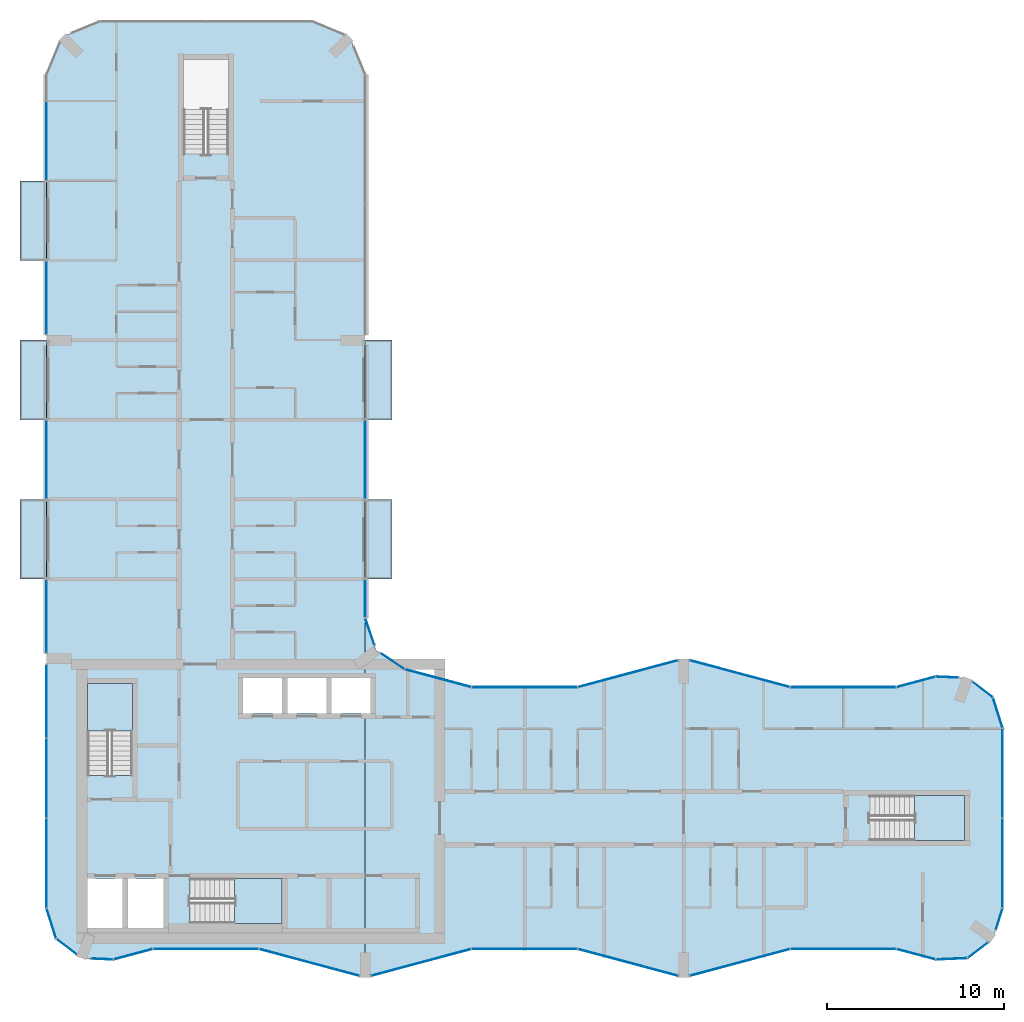
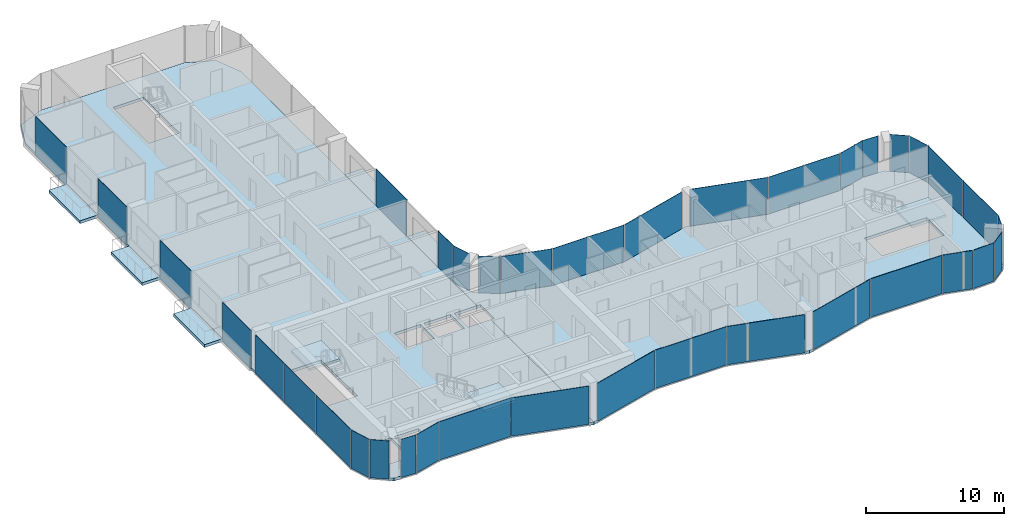
# One storey, part 8 of 16: 37 plates, 10 slabs, 37 elements without a shape of their own.
"""IFC4 building model written with IfcOpenShell, lengths in metres."""

from ifc_helpers import new_model, si_unit, direction, frame, origin, origin_2d, place, context, subcontext, project, spatial, polyline, rectangle, outline, extrude, material, layer, layer_set, type_object, element, aggregate, save


model = new_model("IFC4")

# Units and contexts
model_context = context("Model", 3, precision=1e-05, world=origin(), true_north=direction((0.0, 1.0)))
body_context = subcontext(model_context, "Body", "Model", "MODEL_VIEW")
ifc_project = project(units=[si_unit("LENGTHUNIT", "METRE"), si_unit("AREAUNIT", "SQUARE_METRE"), si_unit("VOLUMEUNIT", "CUBIC_METRE"), si_unit("PLANEANGLEUNIT", "RADIAN"), si_unit("MASSUNIT", "GRAM", prefix="KILO")], contexts=[model_context])

# Site, building, storey
site_placement = place(None, origin())
site = spatial("IfcSite", under=ifc_project, at=site_placement, CompositionType="ELEMENT")
building_placement = place(site_placement, origin())
building = spatial("IfcBuilding", under=site, at=building_placement, Name="Plateau Cross Towers", CompositionType="ELEMENT")
storey_placement = place(building_placement, frame((0.0, 0.0, 163.89990234375)))
storey = spatial("IfcBuildingStorey", under=building, at=storey_placement, Name="L42", CompositionType="ELEMENT", Elevation=163.89990234375)

# Slabs
ifc_material_1 = material(Name="Concrete C40/50", Category="concrete")
ifc_layer_1 = layer(ifc_material_1, 0.25)
ifc_layer_set_1 = layer_set([ifc_layer_1], Name="Concrete C40/50")
slab_type_1 = type_object("IfcSlabType", Name="Balcony slab 250", PredefinedType="FLOOR", material=ifc_layer_set_1)
slab_1_placement = place(storey_placement, frame((0.0, 0.0, -0.25)))
element("IfcSlab", 1, at=slab_1_placement, inside=storey, type_object=slab_type_1, Name="Balcony slab A-BAL-L42-01", PredefinedType="FLOOR", context=body_context, shape_type="SweptSolid", body=[
    extrude(outline(polyline([(0.0, 22.5), (0.0, 27.0), (-1.5, 27.0), (-1.5, 22.5), (0.0, 22.5)])), origin(), (0.0, 0.0, 1.0), 0.25),
])
slab_2_placement = place(storey_placement, frame((0.0, 0.0, -0.25)))
element("IfcSlab", 2, at=slab_2_placement, inside=storey, type_object=slab_type_1, Name="Balcony slab A-BAL-L42-02", PredefinedType="FLOOR", context=body_context, shape_type="SweptSolid", body=[
    extrude(outline(polyline([(0.0, 31.5), (0.0, 36.0), (-1.5, 36.0), (-1.5, 31.5), (0.0, 31.5)])), origin(), (0.0, 0.0, 1.0), 0.25),
])
slab_3_placement = place(storey_placement, frame((0.0, 0.0, -0.25)))
element("IfcSlab", 3, at=slab_3_placement, inside=storey, type_object=slab_type_1, Name="Balcony slab A-BAL-L42-03", PredefinedType="FLOOR", context=body_context, shape_type="SweptSolid", body=[
    extrude(outline(polyline([(0.0, 40.5), (0.0, 45.0), (-1.5, 45.0), (-1.5, 40.5), (0.0, 40.5)])), origin(), (0.0, 0.0, 1.0), 0.25),
])
slab_4_placement = place(storey_placement, frame((0.0, 0.0, -0.25)))
element("IfcSlab", 4, at=slab_4_placement, inside=storey, type_object=slab_type_1, Name="Balcony slab A-BAL-L42-04", PredefinedType="FLOOR", context=body_context, shape_type="SweptSolid", body=[
    extrude(outline(polyline([(19.5, 22.5), (19.5, 27.0), (18.0, 27.0), (18.0, 22.5), (19.5, 22.5)])), origin(), (0.0, 0.0, 1.0), 0.25),
])
slab_5_placement = place(storey_placement, frame((0.0, 0.0, -0.25)))
element("IfcSlab", 5, at=slab_5_placement, inside=storey, type_object=slab_type_1, Name="Balcony slab A-BAL-L42-05", PredefinedType="FLOOR", context=body_context, shape_type="SweptSolid", body=[
    extrude(outline(polyline([(19.5, 31.5), (19.5, 36.0), (18.0, 36.0), (18.0, 31.5), (19.5, 31.5)])), origin(), (0.0, 0.0, 1.0), 0.25),
])

# Curtain wall, plate
ifc_material_2 = material(Name="Dark low-iron glass", Category="glass")
ifc_layer_2 = layer(ifc_material_2, 0.239990234375)
ifc_layer_set_2 = layer_set([ifc_layer_2], Name="Dark low-iron glass")
curtain_wall_type_1 = type_object("IfcCurtainWallType", Name="Curtain wall flush unitised CW-B", PredefinedType="NOTDEFINED", material=ifc_layer_set_2)
curtain_wall_1_placement = place(storey_placement, origin())
curtain_wall_1 = element("IfcCurtainWall", 6, at=curtain_wall_1_placement, inside=storey, type_object=curtain_wall_type_1, Name="ENV/A/L42/A502_10", PredefinedType="NOTDEFINED")
ifc_layer_3 = layer(ifc_material_2, 0.031982421875)
ifc_layer_set_3 = layer_set([ifc_layer_3], Name="Dark low-iron glass")
plate_type_1 = type_object("IfcPlateType", Name="Glass panel 32 flush unitised", PredefinedType="CURTAIN_PANEL", material=ifc_layer_set_3)
plate_1_placement = place(storey_placement, frame((51.125, 1.05078125, -0.1298828125), z_axis=(0.0, 0.0, 1.0), x_axis=(0.999043701491, 0.043722791671, 0.0)))
plate_1 = element("IfcPlate", 7, at=plate_1_placement, type_object=plate_type_1, Name="CW-B panel 1", PredefinedType="CURTAIN_PANEL", context=body_context, shape_type="SweptSolid", body=[
    extrude(rectangle(XDim=1.744140625, YDim=0.031982421875, at=origin_2d()), origin(), (0.0, 0.0, 1.0), 3.3798828125),
])
aggregate(curtain_wall_1, [plate_1])

curtain_wall_2_placement = place(storey_placement, origin())
curtain_wall_2 = element("IfcCurtainWall", 8, at=curtain_wall_2_placement, inside=storey, type_object=curtain_wall_type_1, Name="ENV/A/L42/A520_11", PredefinedType="NOTDEFINED")
plate_2_placement = place(storey_placement, frame((52.60986328125, 1.5380859375, -0.1298828125), z_axis=(0.0, 0.0, 1.0), x_axis=(0.793315514529, 0.608810721331, 0.0)))
plate_2 = element("IfcPlate", 9, at=plate_2_placement, type_object=plate_type_1, Name="CW-B panel 1", PredefinedType="CURTAIN_PANEL", context=body_context, shape_type="SweptSolid", body=[
    extrude(rectangle(XDim=1.41162109375, YDim=0.031982421875, at=origin_2d()), origin(), (0.0, 0.0, 1.0), 3.3798828125),
])
aggregate(curtain_wall_2, [plate_2])

curtain_wall_3_placement = place(storey_placement, origin())
curtain_wall_3 = element("IfcCurtainWall", 10, at=curtain_wall_3_placement, inside=storey, type_object=curtain_wall_type_1, Name="ENV/A/L42/A536_27", PredefinedType="NOTDEFINED")
plate_3_placement = place(storey_placement, frame((53.805419921875, 3.292236328125, -0.1298828125), z_axis=(0.0, 0.0, 1.0), x_axis=(0.300686174994, 0.95372313811, 0.0)))
plate_3 = element("IfcPlate", 11, at=plate_3_placement, type_object=plate_type_1, Name="CW-B panel 1", PredefinedType="CURTAIN_PANEL", context=body_context, shape_type="SweptSolid", body=[
    extrude(rectangle(XDim=1.233642578125, YDim=0.031982421875, at=origin_2d()), origin(), (0.0, 0.0, 1.0), 3.3798828125),
])
aggregate(curtain_wall_3, [plate_3])

# Curtain wall, plates
curtain_wall_4_placement = place(storey_placement, origin())
curtain_wall_4 = element("IfcCurtainWall", 12, at=curtain_wall_4_placement, inside=storey, type_object=curtain_wall_type_1, Name="ENV/A/L42/A540_39", PredefinedType="NOTDEFINED")
plate_4_placement = place(storey_placement, frame((54.0, 6.45458984375, -0.1298828125), z_axis=(0.0, 0.0, 1.0), x_axis=(0.0, 1.0, 0.0)))
plate_4 = element("IfcPlate", 13, at=plate_4_placement, type_object=plate_type_1, Name="CW-B panel 1", PredefinedType="CURTAIN_PANEL", context=body_context, shape_type="SweptSolid", body=[
    extrude(rectangle(XDim=5.03076171875, YDim=0.031982421875, at=origin_2d()), origin(), (0.0, 0.0, 1.0), 3.3798828125),
])
plate_5_placement = place(storey_placement, frame((54.0, 11.54541015625, -0.1298828125), z_axis=(0.0, 0.0, 1.0), x_axis=(0.0, 1.0, 0.0)))
plate_5 = element("IfcPlate", 14, at=plate_5_placement, type_object=plate_type_1, Name="CW-B panel 2", PredefinedType="CURTAIN_PANEL", context=body_context, shape_type="SweptSolid", body=[
    extrude(rectangle(XDim=5.03076171875, YDim=0.031982421875, at=origin_2d()), origin(), (0.0, 0.0, 1.0), 3.3798828125),
])
aggregate(curtain_wall_4, [plate_4, plate_5])

# Curtain wall, plate
curtain_wall_5_placement = place(storey_placement, origin())
curtain_wall_5 = element("IfcCurtainWall", 15, at=curtain_wall_5_placement, inside=storey, type_object=curtain_wall_type_1, Name="ENV/A/L42/A540_141", PredefinedType="NOTDEFINED")
plate_6_placement = place(storey_placement, frame((53.728759765625, 14.951171875, -0.1298828125), z_axis=(0.0, 0.0, 1.0), x_axis=(-0.300686174994, 0.95372313811, 0.0)))
plate_6 = element("IfcPlate", 16, at=plate_6_placement, type_object=plate_type_1, Name="CW-B panel 1", PredefinedType="CURTAIN_PANEL", context=body_context, shape_type="SweptSolid", body=[
    extrude(rectangle(XDim=1.744140625, YDim=0.031982421875, at=origin_2d()), origin(), (0.0, 0.0, 1.0), 3.3798828125),
])
aggregate(curtain_wall_5, [plate_6])

curtain_wall_6_placement = place(storey_placement, origin())
curtain_wall_6 = element("IfcCurtainWall", 17, at=curtain_wall_6_placement, inside=storey, type_object=curtain_wall_type_1, Name="ENV/A/L42/A535_158", PredefinedType="NOTDEFINED")
plate_7_placement = place(storey_placement, frame((52.873779296875, 16.25927734375, -0.1298828125), z_axis=(0.0, 0.0, 1.0), x_axis=(-0.793315514529, 0.608810721331, 0.0)))
plate_7 = element("IfcPlate", 18, at=plate_7_placement, type_object=plate_type_1, Name="CW-B panel 1", PredefinedType="CURTAIN_PANEL", context=body_context, shape_type="SweptSolid", body=[
    extrude(rectangle(XDim=1.41162109375, YDim=0.031982421875, at=origin_2d()), origin(), (0.0, 0.0, 1.0), 3.3798828125),
])
aggregate(curtain_wall_6, [plate_7])

curtain_wall_7_placement = place(storey_placement, origin())
curtain_wall_7 = element("IfcCurtainWall", 19, at=curtain_wall_7_placement, inside=storey, type_object=curtain_wall_type_1, Name="ENV/A/L42/A515_169", PredefinedType="NOTDEFINED")
plate_8_placement = place(storey_placement, frame((50.8701171875, 16.96044921875, -0.1298828125), z_axis=(0.0, 0.0, 1.0), x_axis=(-0.999043701491, 0.043722791671, 0.0)))
plate_8 = element("IfcPlate", 20, at=plate_8_placement, type_object=plate_type_1, Name="CW-B panel 1", PredefinedType="CURTAIN_PANEL", context=body_context, shape_type="SweptSolid", body=[
    extrude(rectangle(XDim=1.233642578125, YDim=0.031982421875, at=origin_2d()), origin(), (0.0, 0.0, 1.0), 3.3798828125),
])
aggregate(curtain_wall_7, [plate_8])

curtain_wall_8_placement = place(storey_placement, origin())
curtain_wall_8 = element("IfcCurtainWall", 21, at=curtain_wall_8_placement, inside=storey, type_object=curtain_wall_type_1, Name="ENV/A/L42/A202_174", PredefinedType="NOTDEFINED")
plate_9_placement = place(storey_placement, frame((19.546630859375, 17.856689453125, -0.1298828125), z_axis=(0.0, 0.0, 1.0), x_axis=(-0.831521253329, 0.555492938984, 0.0)))
plate_9 = element("IfcPlate", 22, at=plate_9_placement, type_object=plate_type_1, Name="CW-B panel 1", PredefinedType="CURTAIN_PANEL", context=body_context, shape_type="SweptSolid", body=[
    extrude(rectangle(XDim=1.56884765625, YDim=0.031982421875, at=origin_2d()), origin(), (0.0, 0.0, 1.0), 3.3798828125),
])
aggregate(curtain_wall_8, [plate_9])

curtain_wall_9_placement = place(storey_placement, origin())
curtain_wall_9 = element("IfcCurtainWall", 23, at=curtain_wall_9_placement, inside=storey, type_object=curtain_wall_type_1, Name="ENV/A/L42/A185_188", PredefinedType="NOTDEFINED")
plate_10_placement = place(storey_placement, frame((18.26171875, 19.531005859375, -0.1298828125), z_axis=(0.0, 0.0, 1.0), x_axis=(-0.321469161574, 0.94692004845, 0.0)))
plate_10 = element("IfcPlate", 24, at=plate_10_placement, type_object=plate_type_1, Name="CW-B panel 1", PredefinedType="CURTAIN_PANEL", context=body_context, shape_type="SweptSolid", body=[
    extrude(rectangle(XDim=1.56884765625, YDim=0.031982421875, at=origin_2d()), origin(), (0.0, 0.0, 1.0), 3.3798828125),
])
aggregate(curtain_wall_9, [plate_10])

curtain_wall_10_placement = place(storey_placement, origin())
curtain_wall_10 = element("IfcCurtainWall", 25, at=curtain_wall_10_placement, inside=storey, type_object=curtain_wall_type_1, Name="ENV/A/L42/A180_203", PredefinedType="NOTDEFINED")
plate_11_placement = place(storey_placement, frame((18.0, 21.396240234375, -0.1298828125), z_axis=(0.0, 0.0, 1.0), x_axis=(0.0, 1.0, 0.0)))
plate_11 = element("IfcPlate", 26, at=plate_11_placement, type_object=plate_type_1, Name="CW-B panel 1", PredefinedType="CURTAIN_PANEL", context=body_context, shape_type="SweptSolid", body=[
    extrude(rectangle(XDim=2.127685546875, YDim=0.031982421875, at=origin_2d()), origin(), (0.0, 0.0, 1.0), 3.3798828125),
])
aggregate(curtain_wall_10, [plate_11])

curtain_wall_11_placement = place(storey_placement, origin())
curtain_wall_11 = element("IfcCurtainWall", 27, at=curtain_wall_11_placement, inside=storey, type_object=curtain_wall_type_1, Name="ENV/A/L42/A180_270", PredefinedType="NOTDEFINED")
plate_12_placement = place(storey_placement, frame((18.0, 29.25, -0.1298828125), z_axis=(0.0, 0.0, 1.0), x_axis=(0.0, 1.0, 0.0)))
plate_12 = element("IfcPlate", 28, at=plate_12_placement, type_object=plate_type_1, Name="CW-B panel 1", PredefinedType="CURTAIN_PANEL", context=body_context, shape_type="SweptSolid", body=[
    extrude(rectangle(XDim=4.419921875, YDim=0.031982421875, at=origin_2d()), origin(), (0.0, 0.0, 1.0), 3.3798828125),
])
aggregate(curtain_wall_11, [plate_12])

curtain_wall_12_placement = place(storey_placement, origin())
curtain_wall_12 = element("IfcCurtainWall", 29, at=curtain_wall_12_placement, inside=storey, type_object=curtain_wall_type_1, Name="ENV/A/L42/A0_510", PredefinedType="NOTDEFINED")
plate_13_placement = place(storey_placement, frame((0.0, 47.2548828125, -0.1298828125), z_axis=(0.0, 0.0, 1.0), x_axis=(0.0, -1.0, 0.0)))
plate_13 = element("IfcPlate", 30, at=plate_13_placement, type_object=plate_type_1, Name="CW-B panel 2", PredefinedType="CURTAIN_PANEL", context=body_context, shape_type="SweptSolid", body=[
    extrude(rectangle(XDim=4.429931640625, YDim=0.031982421875, at=origin_2d()), origin(), (0.0, 0.0, 1.0), 3.3798828125),
])
aggregate(curtain_wall_12, [plate_13])

curtain_wall_13_placement = place(storey_placement, origin())
curtain_wall_13 = element("IfcCurtainWall", 31, at=curtain_wall_13_placement, inside=storey, type_object=curtain_wall_type_1, Name="ENV/A/L42/A0_405", PredefinedType="NOTDEFINED")
plate_14_placement = place(storey_placement, frame((0.0, 38.39501953125, -0.1298828125), z_axis=(0.0, 0.0, 1.0), x_axis=(0.0, -1.0, 0.0)))
plate_14 = element("IfcPlate", 32, at=plate_14_placement, type_object=plate_type_1, Name="CW-B panel 1", PredefinedType="CURTAIN_PANEL", context=body_context, shape_type="SweptSolid", body=[
    extrude(rectangle(XDim=4.1298828125, YDim=0.031982421875, at=origin_2d()), origin(), (0.0, 0.0, 1.0), 3.3798828125),
])
aggregate(curtain_wall_13, [plate_14])

curtain_wall_14_placement = place(storey_placement, origin())
curtain_wall_14 = element("IfcCurtainWall", 33, at=curtain_wall_14_placement, inside=storey, type_object=curtain_wall_type_1, Name="ENV/A/L42/A0_315", PredefinedType="NOTDEFINED")
plate_15_placement = place(storey_placement, frame((0.0, 29.25, -0.1298828125), z_axis=(0.0, 0.0, 1.0), x_axis=(0.0, -1.0, 0.0)))
plate_15 = element("IfcPlate", 34, at=plate_15_placement, type_object=plate_type_1, Name="CW-B panel 1", PredefinedType="CURTAIN_PANEL", context=body_context, shape_type="SweptSolid", body=[
    extrude(rectangle(XDim=4.419921875, YDim=0.031982421875, at=origin_2d()), origin(), (0.0, 0.0, 1.0), 3.3798828125),
])
aggregate(curtain_wall_14, [plate_15])

curtain_wall_15_placement = place(storey_placement, origin())
curtain_wall_15 = element("IfcCurtainWall", 35, at=curtain_wall_15_placement, inside=storey, type_object=curtain_wall_type_1, Name="ENV/A/L42/A0_225", PredefinedType="NOTDEFINED")
plate_16_placement = place(storey_placement, frame((0.0, 20.39501953125, -0.1298828125), z_axis=(0.0, 0.0, 1.0), x_axis=(0.0, -1.0, 0.0)))
plate_16 = element("IfcPlate", 36, at=plate_16_placement, type_object=plate_type_1, Name="CW-B panel 1", PredefinedType="CURTAIN_PANEL", context=body_context, shape_type="SweptSolid", body=[
    extrude(rectangle(XDim=4.1298828125, YDim=0.031982421875, at=origin_2d()), origin(), (0.0, 0.0, 1.0), 3.3798828125),
])
aggregate(curtain_wall_15, [plate_16])

# Curtain wall, plates
curtain_wall_16_placement = place(storey_placement, origin())
curtain_wall_16 = element("IfcCurtainWall", 37, at=curtain_wall_16_placement, inside=storey, type_object=curtain_wall_type_1, Name="ENV/A/L42/A0_177", PredefinedType="NOTDEFINED")
plate_17_placement = place(storey_placement, frame((0.0, 15.60009765625, -0.1298828125), z_axis=(0.0, 0.0, 1.0), x_axis=(0.0, -1.0, 0.0)))
plate_17 = element("IfcPlate", 38, at=plate_17_placement, type_object=plate_type_1, Name="CW-B panel 1", PredefinedType="CURTAIN_PANEL", context=body_context, shape_type="SweptSolid", body=[
    extrude(rectangle(XDim=4.139892578125, YDim=0.031982421875, at=origin_2d()), origin(), (0.0, 0.0, 1.0), 3.3798828125),
])
plate_18_placement = place(storey_placement, frame((0.0, 11.25, -0.1298828125), z_axis=(0.0, 0.0, 1.0), x_axis=(0.0, -1.0, 0.0)))
plate_18 = element("IfcPlate", 39, at=plate_18_placement, type_object=plate_type_1, Name="CW-B panel 2", PredefinedType="CURTAIN_PANEL", context=body_context, shape_type="SweptSolid", body=[
    extrude(rectangle(XDim=4.43994140625, YDim=0.031982421875, at=origin_2d()), origin(), (0.0, 0.0, 1.0), 3.3798828125),
])
plate_19_placement = place(storey_placement, frame((0.0, 6.45458984375, -0.1298828125), z_axis=(0.0, 0.0, 1.0), x_axis=(0.0, -1.0, 0.0)))
plate_19 = element("IfcPlate", 40, at=plate_19_placement, type_object=plate_type_1, Name="CW-B panel 3", PredefinedType="CURTAIN_PANEL", context=body_context, shape_type="SweptSolid", body=[
    extrude(rectangle(XDim=5.03076171875, YDim=0.031982421875, at=origin_2d()), origin(), (0.0, 0.0, 1.0), 3.3798828125),
])
aggregate(curtain_wall_16, [plate_17, plate_18, plate_19])

# Curtain wall, plate
curtain_wall_17_placement = place(storey_placement, origin())
curtain_wall_17 = element("IfcCurtainWall", 41, at=curtain_wall_17_placement, inside=storey, type_object=curtain_wall_type_1, Name="ENV/A/L42/A0_39", PredefinedType="NOTDEFINED")
plate_20_placement = place(storey_placement, frame((0.271240234375, 3.048828125, -0.1298828125), z_axis=(0.0, 0.0, 1.0), x_axis=(0.300686174994, -0.95372313811, 0.0)))
plate_20 = element("IfcPlate", 42, at=plate_20_placement, type_object=plate_type_1, Name="CW-B panel 1", PredefinedType="CURTAIN_PANEL", context=body_context, shape_type="SweptSolid", body=[
    extrude(rectangle(XDim=1.744140625, YDim=0.031982421875, at=origin_2d()), origin(), (0.0, 0.0, 1.0), 3.3798828125),
])
aggregate(curtain_wall_17, [plate_20])

curtain_wall_18_placement = place(storey_placement, origin())
curtain_wall_18 = element("IfcCurtainWall", 43, at=curtain_wall_18_placement, inside=storey, type_object=curtain_wall_type_1, Name="ENV/A/L42/A5_22", PredefinedType="NOTDEFINED")
plate_21_placement = place(storey_placement, frame((1.126220703125, 1.74072265625, -0.1298828125), z_axis=(0.0, 0.0, 1.0), x_axis=(0.793315514529, -0.608810721331, 0.0)))
plate_21 = element("IfcPlate", 44, at=plate_21_placement, type_object=plate_type_1, Name="CW-B panel 1", PredefinedType="CURTAIN_PANEL", context=body_context, shape_type="SweptSolid", body=[
    extrude(rectangle(XDim=1.41162109375, YDim=0.031982421875, at=origin_2d()), origin(), (0.0, 0.0, 1.0), 3.3798828125),
])
aggregate(curtain_wall_18, [plate_21])

curtain_wall_19_placement = place(storey_placement, origin())
curtain_wall_19 = element("IfcCurtainWall", 45, at=curtain_wall_19_placement, inside=storey, type_object=curtain_wall_type_1, Name="ENV/A/L42/A25_11", PredefinedType="NOTDEFINED")
plate_22_placement = place(storey_placement, frame((3.1298828125, 1.03955078125, -0.1298828125), z_axis=(0.0, 0.0, 1.0), x_axis=(0.999043701491, -0.043722791671, 0.0)))
plate_22 = element("IfcPlate", 46, at=plate_22_placement, type_object=plate_type_1, Name="CW-B panel 1", PredefinedType="CURTAIN_PANEL", context=body_context, shape_type="SweptSolid", body=[
    extrude(rectangle(XDim=1.233642578125, YDim=0.031982421875, at=origin_2d()), origin(), (0.0, 0.0, 1.0), 3.3798828125),
])
aggregate(curtain_wall_19, [plate_22])

ifc_layer_4 = layer(ifc_material_2, 0.260009765625)
ifc_layer_set_4 = layer_set([ifc_layer_4], Name="Dark low-iron glass")
curtain_wall_type_2 = type_object("IfcCurtainWallType", Name="Curtain wall fluted unitised CW-A", PredefinedType="NOTDEFINED", material=ifc_layer_set_4)
curtain_wall_20_placement = place(storey_placement, origin())
curtain_wall_20 = element("IfcCurtainWall", 47, at=curtain_wall_20_placement, inside=storey, type_object=curtain_wall_type_2, Name="ENV/A/L42/A38_10", PredefinedType="NOTDEFINED")
ifc_layer_5 = layer(ifc_material_2, 0.035888671875)
ifc_layer_set_5 = layer_set([ifc_layer_5], Name="Dark low-iron glass")
plate_type_2 = type_object("IfcPlateType", Name="Glass panel 36 fluted unitised", PredefinedType="CURTAIN_PANEL", material=ifc_layer_set_5)
plate_23_placement = place(storey_placement, frame((4.887939453125, 1.30908203125, -0.1298828125), z_axis=(0.0, 0.0, 1.0), x_axis=(0.965957962328, 0.258699081978, 0.0)))
plate_23 = element("IfcPlate", 48, at=plate_23_placement, type_object=plate_type_2, Name="CW-A panel 1", PredefinedType="CURTAIN_PANEL", context=body_context, shape_type="SweptSolid", body=[
    extrude(rectangle(XDim=2.2421875, YDim=0.035888671875, at=origin_2d()), origin(), (0.0, 0.0, 1.0), 3.3798828125),
])
aggregate(curtain_wall_20, [plate_23])

curtain_wall_21_placement = place(storey_placement, origin())
curtain_wall_21 = element("IfcCurtainWall", 49, at=curtain_wall_21_placement, inside=storey, type_object=curtain_wall_type_2, Name="ENV/A/L42/A60_16", PredefinedType="NOTDEFINED")
plate_24_placement = place(storey_placement, frame((9.0, 1.60693359375, -0.1298828125), z_axis=(0.0, 0.0, 1.0), x_axis=(1.0, 0.0, 0.0)))
plate_24 = element("IfcPlate", 50, at=plate_24_placement, type_object=plate_type_2, Name="CW-A panel 1", PredefinedType="CURTAIN_PANEL", context=body_context, shape_type="SweptSolid", body=[
    extrude(rectangle(XDim=5.93994140625, YDim=0.035888671875, at=origin_2d()), origin(), (0.0, 0.0, 1.0), 3.3798828125),
])
aggregate(curtain_wall_21, [plate_24])

curtain_wall_22_placement = place(storey_placement, origin())
curtain_wall_22 = element("IfcCurtainWall", 51, at=curtain_wall_22_placement, inside=storey, type_object=curtain_wall_type_2, Name="ENV/A/L42/A120_16", PredefinedType="NOTDEFINED")
plate_25_placement = place(storey_placement, frame((14.841064453125, 0.845947265625, -0.1298828125), z_axis=(0.0, 0.0, 1.0), x_axis=(0.965957983404, -0.258699003279, 0.0)))
plate_25 = element("IfcPlate", 52, at=plate_25_placement, type_object=plate_type_2, Name="CW-A panel 1", PredefinedType="CURTAIN_PANEL", context=body_context, shape_type="SweptSolid", body=[
    extrude(rectangle(XDim=5.822265625, YDim=0.035888671875, at=origin_2d()), origin(), (0.0, 0.0, 1.0), 3.3798828125),
])
aggregate(curtain_wall_22, [plate_25])

curtain_wall_23_placement = place(storey_placement, origin())
curtain_wall_23 = element("IfcCurtainWall", 53, at=curtain_wall_23_placement, inside=storey, type_object=curtain_wall_type_2, Name="ENV/A/L42/A183_1", PredefinedType="NOTDEFINED")
plate_26_placement = place(storey_placement, frame((21.158935546875, 0.845947265625, -0.1298828125), z_axis=(0.0, 0.0, 1.0), x_axis=(0.965957983404, 0.258699003279, 0.0)))
plate_26 = element("IfcPlate", 54, at=plate_26_placement, type_object=plate_type_2, Name="CW-A panel 1", PredefinedType="CURTAIN_PANEL", context=body_context, shape_type="SweptSolid", body=[
    extrude(rectangle(XDim=5.822265625, YDim=0.035888671875, at=origin_2d()), origin(), (0.0, 0.0, 1.0), 3.3798828125),
])
aggregate(curtain_wall_23, [plate_26])

curtain_wall_24_placement = place(storey_placement, origin())
curtain_wall_24 = element("IfcCurtainWall", 55, at=curtain_wall_24_placement, inside=storey, type_object=curtain_wall_type_2, Name="ENV/A/L42/A240_16", PredefinedType="NOTDEFINED")
plate_27_placement = place(storey_placement, frame((27.0, 1.60693359375, -0.1298828125), z_axis=(0.0, 0.0, 1.0), x_axis=(1.0, 0.0, 0.0)))
plate_27 = element("IfcPlate", 56, at=plate_27_placement, type_object=plate_type_2, Name="CW-A panel 1", PredefinedType="CURTAIN_PANEL", context=body_context, shape_type="SweptSolid", body=[
    extrude(rectangle(XDim=5.93994140625, YDim=0.035888671875, at=origin_2d()), origin(), (0.0, 0.0, 1.0), 3.3798828125),
])
aggregate(curtain_wall_24, [plate_27])

curtain_wall_25_placement = place(storey_placement, origin())
curtain_wall_25 = element("IfcCurtainWall", 57, at=curtain_wall_25_placement, inside=storey, type_object=curtain_wall_type_2, Name="ENV/A/L42/A300_16", PredefinedType="NOTDEFINED")
plate_28_placement = place(storey_placement, frame((32.841064453125, 0.845947265625, -0.1298828125), z_axis=(0.0, 0.0, 1.0), x_axis=(0.965957983404, -0.258699003279, 0.0)))
plate_28 = element("IfcPlate", 58, at=plate_28_placement, type_object=plate_type_2, Name="CW-A panel 1", PredefinedType="CURTAIN_PANEL", context=body_context, shape_type="SweptSolid", body=[
    extrude(rectangle(XDim=5.822265625, YDim=0.035888671875, at=origin_2d()), origin(), (0.0, 0.0, 1.0), 3.3798828125),
])
aggregate(curtain_wall_25, [plate_28])

curtain_wall_26_placement = place(storey_placement, origin())
curtain_wall_26 = element("IfcCurtainWall", 59, at=curtain_wall_26_placement, inside=storey, type_object=curtain_wall_type_2, Name="ENV/A/L42/A363_1", PredefinedType="NOTDEFINED")
plate_29_placement = place(storey_placement, frame((39.158935546875, 0.845947265625, -0.1298828125), z_axis=(0.0, 0.0, 1.0), x_axis=(0.965957983404, 0.258699003279, 0.0)))
plate_29 = element("IfcPlate", 60, at=plate_29_placement, type_object=plate_type_2, Name="CW-A panel 1", PredefinedType="CURTAIN_PANEL", context=body_context, shape_type="SweptSolid", body=[
    extrude(rectangle(XDim=5.822265625, YDim=0.035888671875, at=origin_2d()), origin(), (0.0, 0.0, 1.0), 3.3798828125),
])
aggregate(curtain_wall_26, [plate_29])

curtain_wall_27_placement = place(storey_placement, origin())
curtain_wall_27 = element("IfcCurtainWall", 61, at=curtain_wall_27_placement, inside=storey, type_object=curtain_wall_type_2, Name="ENV/A/L42/A420_16", PredefinedType="NOTDEFINED")
plate_30_placement = place(storey_placement, frame((45.0, 1.60693359375, -0.1298828125), z_axis=(0.0, 0.0, 1.0), x_axis=(1.0, 0.0, 0.0)))
plate_30 = element("IfcPlate", 62, at=plate_30_placement, type_object=plate_type_2, Name="CW-A panel 1", PredefinedType="CURTAIN_PANEL", context=body_context, shape_type="SweptSolid", body=[
    extrude(rectangle(XDim=5.93994140625, YDim=0.035888671875, at=origin_2d()), origin(), (0.0, 0.0, 1.0), 3.3798828125),
])
aggregate(curtain_wall_27, [plate_30])

curtain_wall_28_placement = place(storey_placement, origin())
curtain_wall_28 = element("IfcCurtainWall", 63, at=curtain_wall_28_placement, inside=storey, type_object=curtain_wall_type_2, Name="ENV/A/L42/A480_16", PredefinedType="NOTDEFINED")
plate_31_placement = place(storey_placement, frame((49.112060546875, 1.30908203125, -0.1298828125), z_axis=(0.0, 0.0, 1.0), x_axis=(0.965957962328, -0.258699081978, 0.0)))
plate_31 = element("IfcPlate", 64, at=plate_31_placement, type_object=plate_type_2, Name="CW-A panel 1", PredefinedType="CURTAIN_PANEL", context=body_context, shape_type="SweptSolid", body=[
    extrude(rectangle(XDim=2.2421875, YDim=0.035888671875, at=origin_2d()), origin(), (0.0, 0.0, 1.0), 3.3798828125),
])
aggregate(curtain_wall_28, [plate_31])

curtain_wall_29_placement = place(storey_placement, origin())
curtain_wall_29 = element("IfcCurtainWall", 65, at=curtain_wall_29_placement, inside=storey, type_object=curtain_wall_type_2, Name="ENV/A/L42/A502_170", PredefinedType="NOTDEFINED")
plate_32_placement = place(storey_placement, frame((49.112060546875, 16.69091796875, -0.1298828125), z_axis=(0.0, 0.0, 1.0), x_axis=(-0.965957962328, -0.258699081978, 0.0)))
plate_32 = element("IfcPlate", 66, at=plate_32_placement, type_object=plate_type_2, Name="CW-A panel 1", PredefinedType="CURTAIN_PANEL", context=body_context, shape_type="SweptSolid", body=[
    extrude(rectangle(XDim=2.2421875, YDim=0.035888671875, at=origin_2d()), origin(), (0.0, 0.0, 1.0), 3.3798828125),
])
aggregate(curtain_wall_29, [plate_32])

curtain_wall_30_placement = place(storey_placement, origin())
curtain_wall_30 = element("IfcCurtainWall", 67, at=curtain_wall_30_placement, inside=storey, type_object=curtain_wall_type_2, Name="ENV/A/L42/A480_164", PredefinedType="NOTDEFINED")
plate_33_placement = place(storey_placement, frame((45.0, 16.39306640625, -0.1298828125), z_axis=(0.0, 0.0, 1.0), x_axis=(-1.0, 0.0, 0.0)))
plate_33 = element("IfcPlate", 68, at=plate_33_placement, type_object=plate_type_2, Name="CW-A panel 1", PredefinedType="CURTAIN_PANEL", context=body_context, shape_type="SweptSolid", body=[
    extrude(rectangle(XDim=5.93994140625, YDim=0.035888671875, at=origin_2d()), origin(), (0.0, 0.0, 1.0), 3.3798828125),
])
aggregate(curtain_wall_30, [plate_33])

curtain_wall_31_placement = place(storey_placement, origin())
curtain_wall_31 = element("IfcCurtainWall", 69, at=curtain_wall_31_placement, inside=storey, type_object=curtain_wall_type_2, Name="ENV/A/L42/A420_164", PredefinedType="NOTDEFINED")
plate_34_placement = place(storey_placement, frame((39.158935546875, 17.154052734375, -0.1298828125), z_axis=(0.0, 0.0, 1.0), x_axis=(-0.965957983404, 0.258699003279, 0.0)))
plate_34 = element("IfcPlate", 70, at=plate_34_placement, type_object=plate_type_2, Name="CW-A panel 1", PredefinedType="CURTAIN_PANEL", context=body_context, shape_type="SweptSolid", body=[
    extrude(rectangle(XDim=5.822265625, YDim=0.035888671875, at=origin_2d()), origin(), (0.0, 0.0, 1.0), 3.3798828125),
])
aggregate(curtain_wall_31, [plate_34])

curtain_wall_32_placement = place(storey_placement, origin())
curtain_wall_32 = element("IfcCurtainWall", 71, at=curtain_wall_32_placement, inside=storey, type_object=curtain_wall_type_2, Name="ENV/A/L42/A357_179", PredefinedType="NOTDEFINED")
plate_35_placement = place(storey_placement, frame((32.841064453125, 17.154052734375, -0.1298828125), z_axis=(0.0, 0.0, 1.0), x_axis=(-0.965957983404, -0.258699003279, 0.0)))
plate_35 = element("IfcPlate", 72, at=plate_35_placement, type_object=plate_type_2, Name="CW-A panel 1", PredefinedType="CURTAIN_PANEL", context=body_context, shape_type="SweptSolid", body=[
    extrude(rectangle(XDim=5.822265625, YDim=0.035888671875, at=origin_2d()), origin(), (0.0, 0.0, 1.0), 3.3798828125),
])
aggregate(curtain_wall_32, [plate_35])

curtain_wall_33_placement = place(storey_placement, origin())
curtain_wall_33 = element("IfcCurtainWall", 73, at=curtain_wall_33_placement, inside=storey, type_object=curtain_wall_type_2, Name="ENV/A/L42/A300_164", PredefinedType="NOTDEFINED")
plate_36_placement = place(storey_placement, frame((27.0, 16.39306640625, -0.1298828125), z_axis=(0.0, 0.0, 1.0), x_axis=(-1.0, 0.0, 0.0)))
plate_36 = element("IfcPlate", 74, at=plate_36_placement, type_object=plate_type_2, Name="CW-A panel 1", PredefinedType="CURTAIN_PANEL", context=body_context, shape_type="SweptSolid", body=[
    extrude(rectangle(XDim=5.93994140625, YDim=0.035888671875, at=origin_2d()), origin(), (0.0, 0.0, 1.0), 3.3798828125),
])
aggregate(curtain_wall_33, [plate_36])

curtain_wall_34_placement = place(storey_placement, origin())
curtain_wall_34 = element("IfcCurtainWall", 75, at=curtain_wall_34_placement, inside=storey, type_object=curtain_wall_type_2, Name="ENV/A/L42/A240_164", PredefinedType="NOTDEFINED")
plate_37_placement = place(storey_placement, frame((22.112060546875, 16.898681640625, -0.1298828125), z_axis=(0.0, 0.0, 1.0), x_axis=(-0.965957995816, 0.258698956933, 0.0)))
plate_37 = element("IfcPlate", 76, at=plate_37_placement, type_object=plate_type_2, Name="CW-A panel 1", PredefinedType="CURTAIN_PANEL", context=body_context, shape_type="SweptSolid", body=[
    extrude(rectangle(XDim=3.84912109375, YDim=0.035888671875, at=origin_2d()), origin(), (0.0, 0.0, 1.0), 3.3798828125),
])
aggregate(curtain_wall_34, [plate_37])

# Slabs
ifc_layer_6 = layer(ifc_material_1, 0.25)
ifc_layer_set_6 = layer_set([ifc_layer_6], Name="Concrete C40/50")
slab_type_2 = type_object("IfcSlabType", Name="Post-tensioned flat plate slab 250", PredefinedType="FLOOR", material=ifc_layer_set_6)
slab_6_placement = place(storey_placement, frame((0.0, 0.0, -0.25)))
element("IfcSlab", 77, at=slab_6_placement, inside=storey, type_object=slab_type_2, Name="SL-A-L42 1", PredefinedType="FLOOR", context=body_context, shape_type="SweptSolid", body=[
    extrude(outline(polyline([(0.54248046875, 2.1884765625), (0.0, 3.9091796875), (0.0, 51.0), (0.878662109375, 53.121337890625), (3.0, 54.0), (15.0, 54.0), (17.121337890625, 53.121337890625), (18.0, 51.0), (18.0, 20.30224609375), (18.0, 16.89990234375), (16.10009765625, 16.89990234375), (16.10009765625, 14.89990234375), (18.0, 14.89990234375), (18.0, 0.0), (12.0, 1.60693359375), (6.0, 1.60693359375), (3.776123046875, 1.01123046875), (1.9736328125, 1.090087890625), (0.54248046875, 2.1884765625)]), holes=[polyline([(2.300048828125, 5.60009765625), (2.300048828125, 2.800048828125), (4.300048828125, 2.800048828125), (4.300048828125, 5.60009765625), (2.300048828125, 5.60009765625)]), polyline([(4.60009765625, 5.60009765625), (4.60009765625, 2.800048828125), (6.60009765625, 2.800048828125), (6.60009765625, 5.60009765625), (4.60009765625, 5.60009765625)]), polyline([(8.10009765625, 5.60009765625), (8.10009765625, 3.050048828125), (13.300048828125, 3.050048828125), (13.300048828125, 5.60009765625), (8.10009765625, 5.60009765625)]), polyline([(2.300048828125, 11.39990234375), (4.85009765625, 11.39990234375), (4.85009765625, 16.60009765625), (2.300048828125, 16.60009765625), (2.300048828125, 11.39990234375)]), polyline([(11.10009765625, 16.89990234375), (11.10009765625, 14.89990234375), (13.300048828125, 14.89990234375), (13.300048828125, 16.89990234375), (11.10009765625, 16.89990234375)]), polyline([(13.60009765625, 16.89990234375), (13.60009765625, 14.89990234375), (15.800048828125, 14.89990234375), (15.800048828125, 16.89990234375), (13.60009765625, 16.89990234375)]), polyline([(7.72509765625, 51.699951171875), (7.72509765625, 46.5), (10.27490234375, 46.5), (10.27490234375, 51.699951171875), (7.72509765625, 51.699951171875)])]), origin(), (0.0, 0.0, 1.0), 0.25),
])
slab_7_placement = place(storey_placement, frame((0.0, 0.0, -0.25)))
element("IfcSlab", 78, at=slab_7_placement, inside=storey, type_object=slab_type_2, Name="SL-A-L42 2", PredefinedType="FLOOR", context=body_context, shape_type="SweptSolid", body=[
    extrude(outline(polyline([(18.6201171875, 18.475830078125), (20.223876953125, 17.404296875), (24.0, 16.39306640625), (30.0, 16.39306640625), (36.0, 18.0), (42.0, 16.39306640625), (48.0, 16.39306640625), (50.223876953125, 16.98876953125), (52.0263671875, 16.909912109375), (53.45751953125, 15.8115234375), (54.0, 14.0908203125), (54.0, 3.9091796875), (53.45751953125, 2.1884765625), (52.0263671875, 1.090087890625), (50.223876953125, 1.01123046875), (48.0, 1.60693359375), (42.0, 1.60693359375), (36.0, 0.0), (30.0, 1.60693359375), (24.0, 1.60693359375), (18.0, 0.0), (18.0, 14.89990234375), (18.300048828125, 14.89990234375), (18.300048828125, 16.89990234375), (18.0, 16.89990234375), (18.0, 20.30224609375), (18.6201171875, 18.475830078125)]), holes=[polyline([(46.5, 10.27490234375), (46.5, 7.72509765625), (51.699951171875, 7.72509765625), (51.699951171875, 10.27490234375), (46.5, 10.27490234375)])]), origin(), (0.0, 0.0, 1.0), 0.25),
])

# Stair, slab
stair_type = type_object("IfcStairType", Name="ST-TWR", PredefinedType="HALF_TURN_STAIR", material=ifc_material_1)
stair_1_placement = place(storey_placement, origin())
stair_1 = element("IfcStair", 79, at=stair_1_placement, inside=storey, type_object=stair_type, Name="L42 Protected Exit Stair ST-1", PredefinedType="HALF_TURN_STAIR")
ifc_layer_7 = layer(ifc_material_1, 0.199951171875)
ifc_layer_set_7 = layer_set([ifc_layer_7], Name="Concrete C40/50")
slab_type_3 = type_object("IfcSlabType", Name="SL-LANDING", PredefinedType="LANDING", material=ifc_layer_set_7)
slab_8_placement = place(storey_placement, frame((0.0, 0.0, 1.550048828125)))
slab_8 = element("IfcSlab", 80, at=slab_8_placement, type_object=slab_type_3, Name="ST-1 landing 1", PredefinedType="LANDING", context=body_context, shape_type="SweptSolid", body=[
    extrude(outline(polyline([(4.85009765625, 13.919921875), (4.85009765625, 16.60009765625), (2.300048828125, 16.60009765625), (2.300048828125, 13.919921875), (4.85009765625, 13.919921875)])), origin(), (0.0, 0.0, 1.0), 0.199951171875),
])
aggregate(stair_1, [slab_8])

stair_2_placement = place(storey_placement, origin())
stair_2 = element("IfcStair", 81, at=stair_2_placement, inside=storey, type_object=stair_type, Name="L42 Protected Exit Stair ST-2", PredefinedType="HALF_TURN_STAIR")
slab_9_placement = place(storey_placement, frame((0.0, 0.0, 1.550048828125)))
slab_9 = element("IfcSlab", 82, at=slab_9_placement, type_object=slab_type_3, Name="ST-2 landing 1", PredefinedType="LANDING", context=body_context, shape_type="SweptSolid", body=[
    extrude(outline(polyline([(10.6201171875, 3.050048828125), (13.300048828125, 3.050048828125), (13.300048828125, 5.60009765625), (10.6201171875, 5.60009765625), (10.6201171875, 3.050048828125)])), origin(), (0.0, 0.0, 1.0), 0.199951171875),
])
aggregate(stair_2, [slab_9])

stair_3_placement = place(storey_placement, origin())
stair_3 = element("IfcStair", 83, at=stair_3_placement, inside=storey, type_object=stair_type, Name="L42 Protected Exit Stair E", PredefinedType="HALF_TURN_STAIR")
slab_10_placement = place(storey_placement, frame((0.0, 0.0, 1.550048828125)))
slab_10 = element("IfcSlab", 84, at=slab_10_placement, type_object=slab_type_3, Name="ES-E landing 1", PredefinedType="LANDING", context=body_context, shape_type="SweptSolid", body=[
    extrude(outline(polyline([(49.02001953125, 7.72509765625), (51.85009765625, 7.72509765625), (51.85009765625, 10.27490234375), (49.02001953125, 10.27490234375), (49.02001953125, 7.72509765625)])), origin(), (0.0, 0.0, 1.0), 0.199951171875),
])
aggregate(stair_3, [slab_10])

save(model, "model.ifc")
